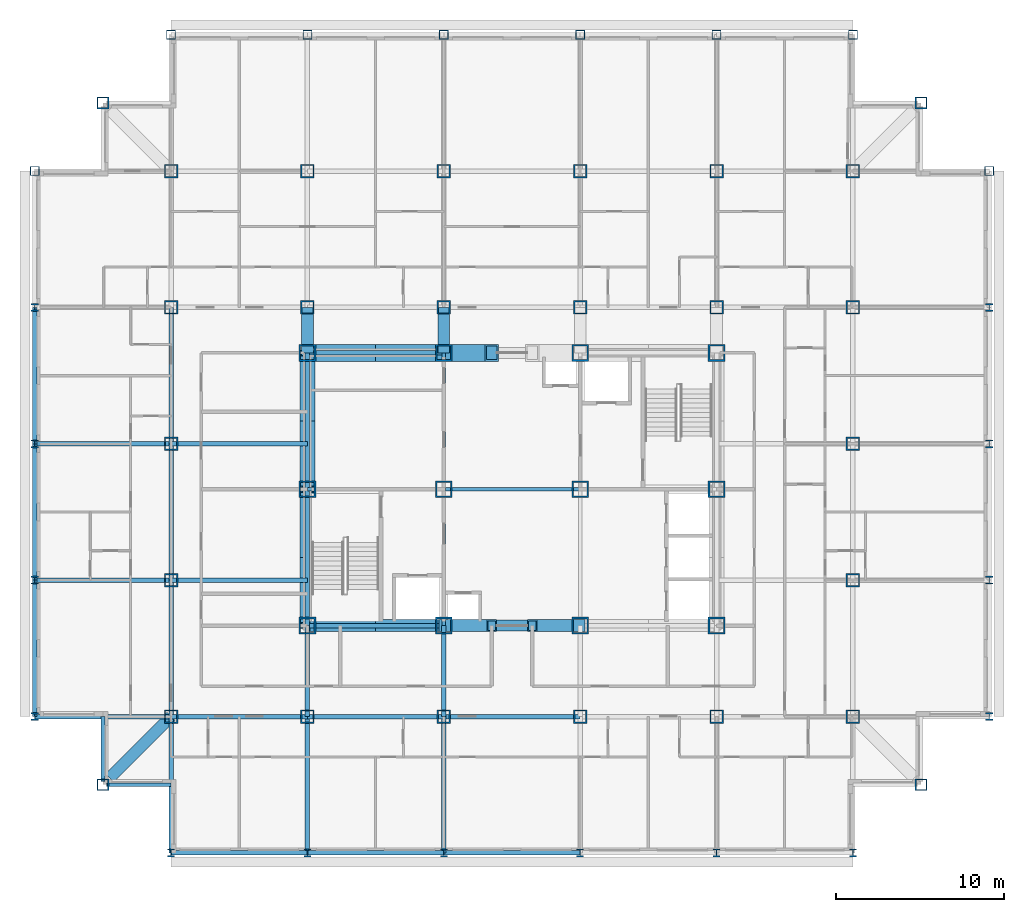
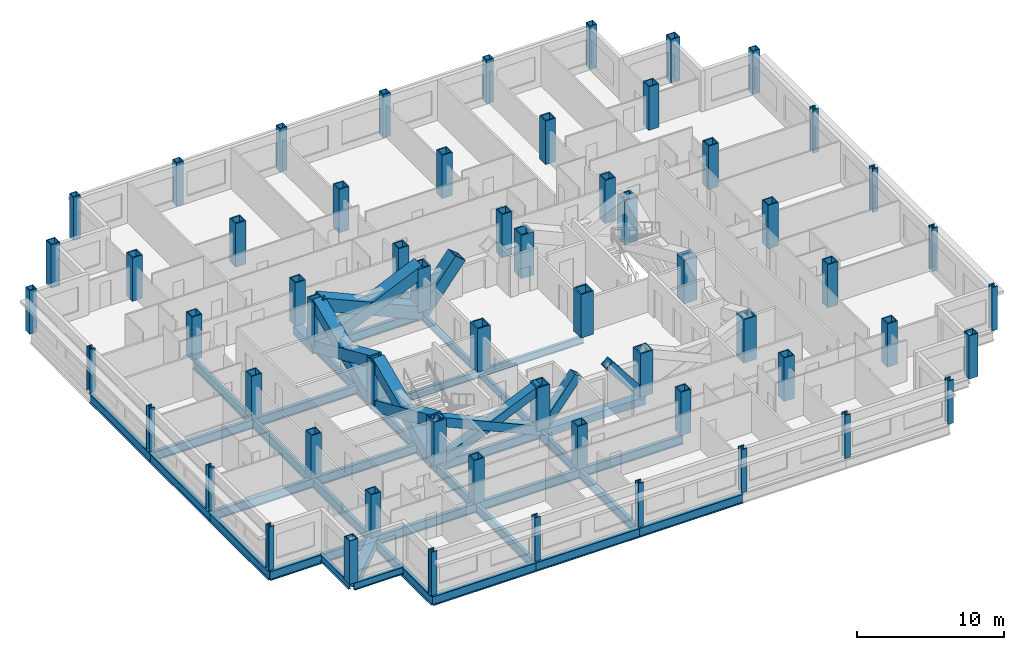
# One storey, part 1 of 12: 60 columns, 36 beams, 11 members.
"""IFC4 building model written with IfcOpenShell, lengths in metres."""

from ifc_helpers import new_model, si_unit, direction, frame, origin, origin_2d, place, context, subcontext, project, spatial, hollow_rectangle, i_section, extrude, material, material_profile, profile_set, type_object, element, save


model = new_model("IFC4")

# Units and contexts
model_context = context("Model", 3, precision=1e-05, world=origin(), true_north=direction((0.0, 1.0)))
body_context = subcontext(model_context, "Body", "Model", "MODEL_VIEW")
ifc_project = project(units=[si_unit("LENGTHUNIT", "METRE"), si_unit("AREAUNIT", "SQUARE_METRE"), si_unit("VOLUMEUNIT", "CUBIC_METRE"), si_unit("PLANEANGLEUNIT", "RADIAN"), si_unit("MASSUNIT", "GRAM", prefix="KILO")], contexts=[model_context])

# Site, building, storey
site_placement = place(None, origin())
site = spatial("IfcSite", under=ifc_project, at=site_placement, CompositionType="ELEMENT")
building_placement = place(site_placement, origin())
building = spatial("IfcBuilding", under=site, at=building_placement, Name="Kopane Lantern Tower", CompositionType="ELEMENT")
storey_placement = place(building_placement, frame((0.0, 0.0, 224.39990234375)))
storey = spatial("IfcBuildingStorey", under=building, at=storey_placement, Name="L58", CompositionType="ELEMENT", Elevation=224.39990234375)

# Columns
ifc_material_1 = material(Name="Steel S355JR", Category="steel")
ifc_material_profile_1 = material_profile(ifc_material_1, hollow_rectangle(XDim=1.0, YDim=1.0, WallThickness=0.10009765625, at=origin_2d()), Name="BOX 1000x1000x100")
ifc_profile_set_1 = profile_set([ifc_material_profile_1], Name="Steel S355JR")
column_type_1 = type_object("IfcColumnType", Name="COLUMN BOX 1000x1000x100", PredefinedType="COLUMN", material=ifc_profile_set_1)
for number, where, z_axis, x_axis, name in (
    (1, (16.199951171875, 24.300048828125, 0.0), (0.0, 0.0, 1.0), (1.0, 0.0, 0.0), "Column 4/E L58"),
    (2, (16.199951171875, 32.39990234375, 0.0), (0.0, 0.0, 1.0), (1.0, 0.0, 0.0), "Column 4/F L58"),
    (3, (16.199951171875, 40.5, 0.0), (0.0, 0.0, 1.0), (1.0, 0.0, 0.0), "Column 4/G L58"),
    (4, (24.300048828125, 24.300048828125, 0.0), (0.0, 0.0, 1.0), (1.0, 0.0, 0.0), "Column 5/E L58"),
    (5, (24.300048828125, 32.39990234375, 0.0), (0.0, 0.0, 1.0), (1.0, 0.0, 0.0), "Column 5/F L58"),
    (6, (24.300048828125, 40.5, 0.0), (0.0, 0.0, 1.0), (1.0, 0.0, 0.0), "Column 5/G L58"),
    (7, (32.39990234375, 24.300048828125, 0.0), (0.0, 0.0, 1.0), (1.0, 0.0, 0.0), "Column 6/E L58"),
    (8, (32.39990234375, 32.39990234375, 0.0), (0.0, 0.0, 1.0), (1.0, 0.0, 0.0), "Column 6/F L58"),
    (9, (32.39990234375, 40.5, 0.0), (0.0, 0.0, 1.0), (1.0, 0.0, 0.0), "Column 6/G L58"),
    (10, (40.5, 24.300048828125, 0.0), (0.0, 0.0, 1.0), (1.0, 0.0, 0.0), "Column 7/E L58"),
    (11, (40.5, 32.39990234375, 0.0), (0.0, 0.0, 1.0), (1.0, 0.0, 0.0), "Column 7/F L58"),
    (12, (40.5, 40.5, 0.0), (0.0, 0.0, 1.0), (1.0, 0.0, 0.0), "Column 7/G L58"),
):
    element("IfcColumn", number, at=place(storey_placement, frame(where, z_axis=z_axis, x_axis=x_axis)), inside=storey, type_object=column_type_1, Name=name, PredefinedType="COLUMN", context=body_context, shape_type="SweptSolid", body=[
        extrude(hollow_rectangle(XDim=1.0, YDim=1.0, WallThickness=0.10009765625, at=origin_2d()), origin(), (0.0, 0.0, 1.0), 3.60009765625),
    ])
ifc_material_2 = material(Name="Steel S355JR", Category="steel")
ifc_material_profile_2 = material_profile(ifc_material_2, hollow_rectangle(XDim=0.550048828125, YDim=0.550048828125, WallThickness=0.044921875, at=origin_2d()), Name="BOX 550x550x45")
ifc_profile_set_2 = profile_set([ifc_material_profile_2], Name="Steel S355JR")
column_type_2 = type_object("IfcColumnType", Name="COLUMN BOX 550x550x45", PredefinedType="COLUMN", material=ifc_profile_set_2)
for number, where, z_axis, x_axis, name in (
    (13, (0.0, 51.300048828125, 0.0), (0.0, 0.0, 1.0), (1.0, 0.0, 0.0), "Column 2/Q6 L58"),
    (14, (8.10009765625, 59.39990234375, 0.0), (0.0, 0.0, 1.0), (1.0, 0.0, 0.0), "Column 3/Q7 L58"),
    (15, (16.199951171875, 59.39990234375, 0.0), (0.0, 0.0, 1.0), (1.0, 0.0, 0.0), "Column 4/Q7 L58"),
    (16, (24.300048828125, 59.39990234375, 0.0), (0.0, 0.0, 1.0), (1.0, 0.0, 0.0), "Column 5/Q7 L58"),
    (17, (32.39990234375, 59.39990234375, 0.0), (0.0, 0.0, 1.0), (1.0, 0.0, 0.0), "Column 6/Q7 L58"),
    (18, (40.5, 59.39990234375, 0.0), (0.0, 0.0, 1.0), (1.0, 0.0, 0.0), "Column 7/Q7 L58"),
    (19, (48.60009765625, 59.39990234375, 0.0), (0.0, 0.0, 1.0), (1.0, 0.0, 0.0), "Column 8/Q7 L58"),
    (20, (56.699951171875, 51.300048828125, 0.0), (0.0, 0.0, 1.0), (1.0, 0.0, 0.0), "Column 9/Q6 L58"),
):
    element("IfcColumn", number, at=place(storey_placement, frame(where, z_axis=z_axis, x_axis=x_axis)), inside=storey, type_object=column_type_2, Name=name, PredefinedType="COLUMN", context=body_context, shape_type="SweptSolid", body=[
        extrude(hollow_rectangle(XDim=0.550048828125, YDim=0.550048828125, WallThickness=0.044921875, at=origin_2d()), origin(), (0.0, 0.0, 1.0), 3.60009765625),
    ])
ifc_material_3 = material(Name="Steel S355JR", Category="steel")
ifc_material_profile_3 = material_profile(ifc_material_3, hollow_rectangle(XDim=0.699951171875, YDim=0.699951171875, WallThickness=0.070068359375, at=origin_2d()), Name="BOX 700x700x70")
ifc_profile_set_3 = profile_set([ifc_material_profile_3], Name="Steel S355JR")
column_type_3 = type_object("IfcColumnType", Name="COLUMN BOX 700x700x70", PredefinedType="COLUMN", material=ifc_profile_set_3)
for number, where, z_axis, x_axis, name in (
    (21, (4.050048828125, 14.85009765625, 0.0), (0.0, 0.0, 1.0), (1.0, 0.0, 0.0), "Column 4.05/14.85 L58"),
    (22, (4.050048828125, 55.35009765625, 0.0), (0.0, 0.0, 1.0), (1.0, 0.0, 0.0), "Column 4.05/55.35 L58"),
    (23, (52.64990234375, 14.85009765625, 0.0), (0.0, 0.0, 1.0), (1.0, 0.0, 0.0), "Column 52.65/14.85 L58"),
    (24, (52.64990234375, 55.35009765625, 0.0), (0.0, 0.0, 1.0), (1.0, 0.0, 0.0), "Column 52.65/55.35 L58"),
):
    element("IfcColumn", number, at=place(storey_placement, frame(where, z_axis=z_axis, x_axis=x_axis)), inside=storey, type_object=column_type_3, Name=name, PredefinedType="COLUMN", context=body_context, shape_type="SweptSolid", body=[
        extrude(hollow_rectangle(XDim=0.699951171875, YDim=0.699951171875, WallThickness=0.070068359375, at=origin_2d()), origin(), (0.0, 0.0, 1.0), 3.60009765625),
    ])
ifc_material_4 = material(Name="Steel S355JR", Category="steel")
ifc_material_profile_4 = material_profile(ifc_material_4, hollow_rectangle(XDim=0.800048828125, YDim=0.800048828125, WallThickness=0.080078125, at=origin_2d()), Name="BOX 800x800x80")
ifc_profile_set_4 = profile_set([ifc_material_profile_4], Name="Steel S355JR")
column_type_4 = type_object("IfcColumnType", Name="COLUMN BOX 800x800x80", PredefinedType="COLUMN", material=ifc_profile_set_4)
for number, where, z_axis, x_axis, name in (
    (25, (8.10009765625, 18.89990234375, 0.0), (0.0, 0.0, 1.0), (1.0, 0.0, 0.0), "Column 3/Q2 L58"),
    (26, (8.10009765625, 27.0, 0.0), (0.0, 0.0, 1.0), (1.0, 0.0, 0.0), "Column 3/Q3 L58"),
    (27, (8.10009765625, 35.10009765625, 0.0), (0.0, 0.0, 1.0), (1.0, 0.0, 0.0), "Column 3/Q4 L58"),
    (28, (8.10009765625, 43.199951171875, 0.0), (0.0, 0.0, 1.0), (1.0, 0.0, 0.0), "Column 3/Q5 L58"),
    (29, (8.10009765625, 51.300048828125, 0.0), (0.0, 0.0, 1.0), (1.0, 0.0, 0.0), "Column 3/Q6 L58"),
    (30, (16.199951171875, 18.89990234375, 0.0), (0.0, 0.0, 1.0), (1.0, 0.0, 0.0), "Column 4/Q2 L58"),
    (31, (16.199951171875, 43.199951171875, 0.0), (0.0, 0.0, 1.0), (1.0, 0.0, 0.0), "Column 4/Q5 L58"),
    (32, (16.199951171875, 51.300048828125, 0.0), (0.0, 0.0, 1.0), (1.0, 0.0, 0.0), "Column 4/Q6 L58"),
    (33, (24.300048828125, 18.89990234375, 0.0), (0.0, 0.0, 1.0), (1.0, 0.0, 0.0), "Column 5/Q2 L58"),
    (34, (24.300048828125, 43.199951171875, 0.0), (0.0, 0.0, 1.0), (1.0, 0.0, 0.0), "Column 5/Q5 L58"),
    (35, (24.300048828125, 51.300048828125, 0.0), (0.0, 0.0, 1.0), (1.0, 0.0, 0.0), "Column 5/Q6 L58"),
    (36, (32.39990234375, 18.89990234375, 0.0), (0.0, 0.0, 1.0), (1.0, 0.0, 0.0), "Column 6/Q2 L58"),
    (37, (32.39990234375, 43.199951171875, 0.0), (0.0, 0.0, 1.0), (1.0, 0.0, 0.0), "Column 6/Q5 L58"),
    (38, (32.39990234375, 51.300048828125, 0.0), (0.0, 0.0, 1.0), (1.0, 0.0, 0.0), "Column 6/Q6 L58"),
    (39, (40.5, 18.89990234375, 0.0), (0.0, 0.0, 1.0), (1.0, 0.0, 0.0), "Column 7/Q2 L58"),
    (40, (40.5, 43.199951171875, 0.0), (0.0, 0.0, 1.0), (1.0, 0.0, 0.0), "Column 7/Q5 L58"),
    (41, (40.5, 51.300048828125, 0.0), (0.0, 0.0, 1.0), (1.0, 0.0, 0.0), "Column 7/Q6 L58"),
    (42, (48.60009765625, 18.89990234375, 0.0), (0.0, 0.0, 1.0), (1.0, 0.0, 0.0), "Column 8/Q2 L58"),
    (43, (48.60009765625, 27.0, 0.0), (0.0, 0.0, 1.0), (1.0, 0.0, 0.0), "Column 8/Q3 L58"),
    (44, (48.60009765625, 35.10009765625, 0.0), (0.0, 0.0, 1.0), (1.0, 0.0, 0.0), "Column 8/Q4 L58"),
    (45, (48.60009765625, 43.199951171875, 0.0), (0.0, 0.0, 1.0), (1.0, 0.0, 0.0), "Column 8/Q5 L58"),
    (46, (48.60009765625, 51.300048828125, 0.0), (0.0, 0.0, 1.0), (1.0, 0.0, 0.0), "Column 8/Q6 L58"),
):
    element("IfcColumn", number, at=place(storey_placement, frame(where, z_axis=z_axis, x_axis=x_axis)), inside=storey, type_object=column_type_4, Name=name, PredefinedType="COLUMN", context=body_context, shape_type="SweptSolid", body=[
        extrude(hollow_rectangle(XDim=0.800048828125, YDim=0.800048828125, WallThickness=0.080078125, at=origin_2d()), origin(), (0.0, 0.0, 1.0), 3.60009765625),
    ])
ifc_material_5 = material(Name="Steel S355JR", Category="steel")
ifc_material_profile_5 = material_profile(ifc_material_5, i_section(OverallWidth=0.424072265625, OverallDepth=0.474609375, WebThickness=0.047607421875, FlangeThickness=0.076904296875, FilletRadius=0.01513671875, at=origin_2d()), Name="UC 356x406x634")
ifc_profile_set_5 = profile_set([ifc_material_profile_5], Name="Steel S355JR")
column_type_5 = type_object("IfcColumnType", Name="COLUMN UC 356x406x634", PredefinedType="COLUMN", material=ifc_profile_set_5)
for number, where, z_axis, x_axis, name in (
    (47, (0.0, 18.89990234375, 0.0), (0.0, 0.0, 1.0), (1.0, 0.0, 0.0), "Column 2/Q2 L58"),
    (48, (0.0, 27.0, 0.0), (0.0, 0.0, 1.0), (1.0, 0.0, 0.0), "Column 2/Q3 L58"),
    (49, (0.0, 35.10009765625, 0.0), (0.0, 0.0, 1.0), (1.0, 0.0, 0.0), "Column 2/Q4 L58"),
    (50, (0.0, 43.199951171875, 0.0), (0.0, 0.0, 1.0), (1.0, 0.0, 0.0), "Column 2/Q5 L58"),
    (51, (8.10009765625, 10.800048828125, 0.0), (0.0, 0.0, 1.0), (1.0, 0.0, 0.0), "Column 3/Q1 L58"),
    (52, (16.199951171875, 10.800048828125, 0.0), (0.0, 0.0, 1.0), (1.0, 0.0, 0.0), "Column 4/Q1 L58"),
    (53, (24.300048828125, 10.800048828125, 0.0), (0.0, 0.0, 1.0), (1.0, 0.0, 0.0), "Column 5/Q1 L58"),
    (54, (32.39990234375, 10.800048828125, 0.0), (0.0, 0.0, 1.0), (1.0, 0.0, 0.0), "Column 6/Q1 L58"),
    (55, (40.5, 10.800048828125, 0.0), (0.0, 0.0, 1.0), (1.0, 0.0, 0.0), "Column 7/Q1 L58"),
    (56, (48.60009765625, 10.800048828125, 0.0), (0.0, 0.0, 1.0), (1.0, 0.0, 0.0), "Column 8/Q1 L58"),
    (57, (56.699951171875, 18.89990234375, 0.0), (0.0, 0.0, 1.0), (1.0, 0.0, 0.0), "Column 9/Q2 L58"),
    (58, (56.699951171875, 27.0, 0.0), (0.0, 0.0, 1.0), (1.0, 0.0, 0.0), "Column 9/Q3 L58"),
    (59, (56.699951171875, 35.10009765625, 0.0), (0.0, 0.0, 1.0), (1.0, 0.0, 0.0), "Column 9/Q4 L58"),
    (60, (56.699951171875, 43.199951171875, 0.0), (0.0, 0.0, 1.0), (1.0, 0.0, 0.0), "Column 9/Q5 L58"),
):
    element("IfcColumn", number, at=place(storey_placement, frame(where, z_axis=z_axis, x_axis=x_axis)), inside=storey, type_object=column_type_5, Name=name, PredefinedType="COLUMN", context=body_context, shape_type="SweptSolid", body=[
        extrude(i_section(OverallWidth=0.424072265625, OverallDepth=0.474609375, WebThickness=0.047607421875, FlangeThickness=0.076904296875, FilletRadius=0.01513671875, at=origin_2d()), origin(), (0.0, 0.0, 1.0), 3.60009765625),
    ])

# Members
ifc_material_6 = material(Name="Steel S355JR", Category="steel")
ifc_material_profile_6 = material_profile(ifc_material_6, hollow_rectangle(XDim=1.0, YDim=1.0, WallThickness=0.10009765625, at=origin_2d()), Name="BOX 1000x1000x100")
ifc_profile_set_6 = profile_set([ifc_material_profile_6], Name="Steel S355JR")
member_type_1 = type_object("IfcMemberType", Name="BRACE BOX 1000x1000x100", PredefinedType="BRACE", material=ifc_profile_set_6)
for number, where, z_axis, x_axis, name in (
    (61, (16.199951171875, 40.5, -0.2099609375), (0.913809277049, 0.0, 0.40614357705), (0.0, 1.0, 0.0), "Core brace L58"),
    (62, (24.300048828125, 40.5, -0.2099609375), (-0.913809277049, 0.0, 0.40614357705), (0.0, -1.0, 0.0), "Core brace L58"),
):
    element("IfcMember", number, at=place(storey_placement, frame(where, z_axis=z_axis, x_axis=x_axis)), inside=storey, type_object=member_type_1, Name=name, PredefinedType="BRACE", context=body_context, shape_type="SweptSolid", body=[
        extrude(hollow_rectangle(XDim=1.0, YDim=1.0, WallThickness=0.10009765625, at=origin_2d()), origin(), (0.0, 0.0, 1.0), 8.864013671875),
    ])
member_placement = place(storey_placement, frame((24.300048828125, 40.5, -0.2099609375), z_axis=(0.620672981644, 0.0, 0.784069544018), x_axis=(0.0, 1.0, 0.0)))
element("IfcMember", 63, at=member_placement, inside=storey, type_object=member_type_1, Name="Core brace L58", PredefinedType="BRACE", context=body_context, shape_type="SweptSolid", body=[
    extrude(hollow_rectangle(XDim=1.0, YDim=1.0, WallThickness=0.10009765625, at=origin_2d()), origin(), (0.0, 0.0, 1.0), 4.591552734375),
])
ifc_material_7 = material(Name="Steel S355JR", Category="steel")
ifc_material_profile_7 = material_profile(ifc_material_7, hollow_rectangle(XDim=0.699951171875, YDim=0.699951171875, WallThickness=0.06005859375, at=origin_2d()), Name="BOX 700x700x60")
ifc_profile_set_7 = profile_set([ifc_material_profile_7], Name="Steel S355JR")
member_type_2 = type_object("IfcMemberType", Name="BRACE BOX 700x700x60", PredefinedType="BRACE", material=ifc_profile_set_7)
for number, where, z_axis, x_axis, name in (
    (64, (16.199951171875, 24.300048828125, -0.2099609375), (0.913809277049, 0.0, 0.40614357705), (0.0, 1.0, 0.0), "Core brace L58"),
    (65, (24.300048828125, 24.300048828125, -0.2099609375), (-0.913809277049, 0.0, 0.40614357705), (0.0, -1.0, 0.0), "Core brace L58"),
):
    element("IfcMember", number, at=place(storey_placement, frame(where, z_axis=z_axis, x_axis=x_axis)), inside=storey, type_object=member_type_2, Name=name, PredefinedType="BRACE", context=body_context, shape_type="SweptSolid", body=[
        extrude(hollow_rectangle(XDim=0.699951171875, YDim=0.699951171875, WallThickness=0.06005859375, at=origin_2d()), origin(), (0.0, 0.0, 1.0), 8.864013671875),
    ])
for number, where, z_axis, x_axis, name in (
    (66, (24.300048828125, 24.300048828125, -0.2099609375), (0.620672981644, 0.0, 0.784069544018), (0.0, 1.0, 0.0), "Core brace L58"),
    (67, (32.39990234375, 24.300048828125, -0.2099609375), (-0.620672981644, 0.0, 0.784069544018), (0.0, -1.0, 0.0), "Core brace L58"),
):
    element("IfcMember", number, at=place(storey_placement, frame(where, z_axis=z_axis, x_axis=x_axis)), inside=storey, type_object=member_type_2, Name=name, PredefinedType="BRACE", context=body_context, shape_type="SweptSolid", body=[
        extrude(hollow_rectangle(XDim=0.699951171875, YDim=0.699951171875, WallThickness=0.06005859375, at=origin_2d()), origin(), (0.0, 0.0, 1.0), 4.591552734375),
    ])
ifc_material_8 = material(Name="Steel S355JR", Category="steel")
ifc_material_profile_8 = material_profile(ifc_material_8, hollow_rectangle(XDim=0.89990234375, YDim=0.89990234375, WallThickness=0.090087890625, at=origin_2d()), Name="BOX 900x900x90")
ifc_profile_set_8 = profile_set([ifc_material_profile_8], Name="Steel S355JR")
member_type_3 = type_object("IfcMemberType", Name="BRACE BOX 900x900x90", PredefinedType="BRACE", material=ifc_profile_set_8)
for number, where, z_axis, x_axis, name in (
    (68, (16.199951171875, 24.300048828125, -0.2099609375), (0.0, 0.91380473365, 0.406153799391), (-1.0, 0.0, 0.0), "Core brace L58"),
    (69, (16.199951171875, 32.39990234375, -0.2099609375), (0.0, -0.91380473365, 0.406153799391), (1.0, 0.0, 0.0), "Core brace L58"),
):
    element("IfcMember", number, at=place(storey_placement, frame(where, z_axis=z_axis, x_axis=x_axis)), inside=storey, type_object=member_type_3, Name=name, PredefinedType="BRACE", context=body_context, shape_type="SweptSolid", body=[
        extrude(hollow_rectangle(XDim=0.89990234375, YDim=0.89990234375, WallThickness=0.090087890625, at=origin_2d()), origin(), (0.0, 0.0, 1.0), 8.86376953125),
    ])
for number, where, z_axis, x_axis, name in (
    (70, (16.199951171875, 32.39990234375, -0.2099609375), (0.0, 0.913809277049, 0.40614357705), (-1.0, 0.0, 0.0), "Core brace L58"),
    (71, (16.199951171875, 40.5, -0.2099609375), (0.0, -0.913809277049, 0.40614357705), (1.0, 0.0, 0.0), "Core brace L58"),
):
    element("IfcMember", number, at=place(storey_placement, frame(where, z_axis=z_axis, x_axis=x_axis)), inside=storey, type_object=member_type_3, Name=name, PredefinedType="BRACE", context=body_context, shape_type="SweptSolid", body=[
        extrude(hollow_rectangle(XDim=0.89990234375, YDim=0.89990234375, WallThickness=0.090087890625, at=origin_2d()), origin(), (0.0, 0.0, 1.0), 8.864013671875),
    ])

# Beams
ifc_material_9 = material(Name="Steel S355JR", Category="steel")
ifc_material_profile_9 = material_profile(ifc_material_9, i_section(OverallWidth=0.22900390625, OverallDepth=0.6123046875, WebThickness=0.011962890625, FlangeThickness=0.01953125, FilletRadius=0.0126953125, at=origin_2d()), Name="UB 610x229x125")
ifc_profile_set_9 = profile_set([ifc_material_profile_9], Name="Steel S355JR")
beam_type_1 = type_object("IfcBeamType", Name="CORE BEAM UB 610x229x125", PredefinedType="BEAM", material=ifc_profile_set_9)
beam_1_placement = place(storey_placement, frame((16.199951171875, 32.39990234375, -0.51611328125), z_axis=(1.0, 0.0, 0.0), x_axis=(0.0, 1.0, 0.0)))
element("IfcBeam", 72, at=beam_1_placement, inside=storey, type_object=beam_type_1, Name="Core Beam L58", PredefinedType="BEAM", context=body_context, shape_type="SweptSolid", body=[
    extrude(i_section(OverallWidth=0.22900390625, OverallDepth=0.6123046875, WebThickness=0.011962890625, FlangeThickness=0.01953125, FilletRadius=0.0126953125, at=origin_2d()), origin(), (0.0, 0.0, 1.0), 8.10009765625),
])
beam_2_placement = place(storey_placement, frame((24.300048828125, 24.300048828125, -0.51611328125), z_axis=(0.0, 1.0, 0.0), x_axis=(-1.0, 0.0, 0.0)))
element("IfcBeam", 73, at=beam_2_placement, inside=storey, type_object=beam_type_1, Name="Core Beam L58", PredefinedType="BEAM", context=body_context, shape_type="SweptSolid", body=[
    extrude(i_section(OverallWidth=0.22900390625, OverallDepth=0.6123046875, WebThickness=0.011962890625, FlangeThickness=0.01953125, FilletRadius=0.0126953125, at=origin_2d()), origin(), (0.0, 0.0, 1.0), 8.099853515625),
])
beam_3_placement = place(storey_placement, frame((24.300048828125, 32.39990234375, -0.51611328125), z_axis=(0.0, 1.0, 0.0), x_axis=(-1.0, 0.0, 0.0)))
element("IfcBeam", 74, at=beam_3_placement, inside=storey, type_object=beam_type_1, Name="Core Beam L58", PredefinedType="BEAM", context=body_context, shape_type="SweptSolid", body=[
    extrude(i_section(OverallWidth=0.22900390625, OverallDepth=0.6123046875, WebThickness=0.011962890625, FlangeThickness=0.01953125, FilletRadius=0.0126953125, at=origin_2d()), origin(), (0.0, 0.0, 1.0), 8.10009765625),
])
beam_4_placement = place(storey_placement, frame((24.300048828125, 32.39990234375, -0.51611328125), z_axis=(1.0, 0.0, 0.0), x_axis=(0.0, 1.0, 0.0)))
element("IfcBeam", 75, at=beam_4_placement, inside=storey, type_object=beam_type_1, Name="Core Beam L58", PredefinedType="BEAM", context=body_context, shape_type="SweptSolid", body=[
    extrude(i_section(OverallWidth=0.22900390625, OverallDepth=0.6123046875, WebThickness=0.011962890625, FlangeThickness=0.01953125, FilletRadius=0.0126953125, at=origin_2d()), origin(), (0.0, 0.0, 1.0), 8.099853515625),
])
ifc_material_10 = material(Name="Steel S355JR", Category="steel")
ifc_material_profile_10 = material_profile(ifc_material_10, hollow_rectangle(XDim=0.699951171875, YDim=0.699951171875, WallThickness=0.06005859375, at=origin_2d()), Name="BOX 700x700x60")
ifc_profile_set_10 = profile_set([ifc_material_profile_10], Name="Steel S355JR")
beam_type_2 = type_object("IfcBeamType", Name="CORNER TIE BEAM BOX 700x700x60", PredefinedType="BEAM", material=ifc_profile_set_10)
beam_5_placement = place(storey_placement, frame((4.447509765625, 15.24755859375, -0.559814453125), z_axis=(0.70713041325, 0.707083148333, 0.0), x_axis=(-0.707083148333, 0.70713041325, 0.0)))
element("IfcBeam", 76, at=beam_5_placement, inside=storey, type_object=beam_type_2, Name="Corner Tie Beam L58", PredefinedType="BEAM", context=body_context, shape_type="SweptSolid", body=[
    extrude(hollow_rectangle(XDim=0.699951171875, YDim=0.699951171875, WallThickness=0.06005859375, at=origin_2d()), origin(), (0.0, 0.0, 1.0), 5.165283203125),
])
ifc_material_11 = material(Name="Steel S355JR", Category="steel")
ifc_material_profile_11 = material_profile(ifc_material_11, i_section(OverallWidth=0.22900390625, OverallDepth=0.6123046875, WebThickness=0.011962890625, FlangeThickness=0.01953125, FilletRadius=0.0126953125, at=origin_2d()), Name="UB 610x229x125")
ifc_profile_set_11 = profile_set([ifc_material_profile_11], Name="Steel S355JR")
beam_type_3 = type_object("IfcBeamType", Name="EDGE BEAM UB 610x229x125", PredefinedType="BEAM", material=ifc_profile_set_11)
beam_6_placement = place(storey_placement, frame((4.050048828125, 15.053466796875, -0.51611328125), z_axis=(0.0, 1.0, 0.0), x_axis=(-1.0, 0.0, 0.0)))
element("IfcBeam", 77, at=beam_6_placement, inside=storey, type_object=beam_type_3, Name="Edge Beam L58", PredefinedType="BEAM", context=body_context, shape_type="SweptSolid", body=[
    extrude(i_section(OverallWidth=0.22900390625, OverallDepth=0.6123046875, WebThickness=0.011962890625, FlangeThickness=0.01953125, FilletRadius=0.0126953125, at=origin_2d()), origin(), (0.0, 0.0, 1.0), 3.846435546875),
])
beam_7_placement = place(storey_placement, frame((4.25341796875, 14.85009765625, -0.51611328125), z_axis=(1.0, 0.0, 0.0), x_axis=(0.0, 1.0, 0.0)))
element("IfcBeam", 78, at=beam_7_placement, inside=storey, type_object=beam_type_3, Name="Edge Beam L58", PredefinedType="BEAM", context=body_context, shape_type="SweptSolid", body=[
    extrude(i_section(OverallWidth=0.22900390625, OverallDepth=0.6123046875, WebThickness=0.011962890625, FlangeThickness=0.01953125, FilletRadius=0.0126953125, at=origin_2d()), origin(), (0.0, 0.0, 1.0), 3.8466796875),
])
ifc_material_12 = material(Name="Steel S355JR", Category="steel")
ifc_material_profile_12 = material_profile(ifc_material_12, hollow_rectangle(XDim=0.699951171875, YDim=0.699951171875, WallThickness=0.06005859375, at=origin_2d()), Name="BOX 700x700x60")
ifc_profile_set_12 = profile_set([ifc_material_profile_12], Name="Steel S355JR")
beam_type_4 = type_object("IfcBeamType", Name="GIRDER BOX 700x700x60", PredefinedType="BEAM", material=ifc_profile_set_12)
for number, where, z_axis, x_axis, name in (
    (79, (16.199951171875, 40.5, -0.559814453125), (0.0, 1.0, 0.0), (-1.0, 0.0, 0.0), "Girder L58"),
    (80, (24.300048828125, 40.5, -0.559814453125), (0.0, 1.0, 0.0), (-1.0, 0.0, 0.0), "Girder L58"),
):
    element("IfcBeam", number, at=place(storey_placement, frame(where, z_axis=z_axis, x_axis=x_axis)), inside=storey, type_object=beam_type_4, Name=name, PredefinedType="BEAM", context=body_context, shape_type="SweptSolid", body=[
        extrude(hollow_rectangle(XDim=0.699951171875, YDim=0.699951171875, WallThickness=0.06005859375, at=origin_2d()), origin(), (0.0, 0.0, 1.0), 2.699951171875),
    ])
ifc_material_13 = material(Name="Steel S355JR", Category="steel")
ifc_material_profile_13 = material_profile(ifc_material_13, i_section(OverallWidth=0.2666015625, OverallDepth=0.76220703125, WebThickness=0.014404296875, FlangeThickness=0.021484375, FilletRadius=0.0166015625, at=origin_2d()), Name="UB 762x267x173")
ifc_profile_set_13 = profile_set([ifc_material_profile_13], Name="Steel S355JR")
beam_type_5 = type_object("IfcBeamType", Name="GIRDER UB 762x267x173", PredefinedType="BEAM", material=ifc_profile_set_13)
for number, where, z_axis, x_axis, name in (
    (81, (0.0, 18.89990234375, -0.591064453125), (0.0, 1.0, 0.0), (-1.0, 0.0, 0.0), "Girder L58"),
    (82, (0.0, 18.89990234375, -0.591064453125), (1.0, 0.0, 0.0), (0.0, 1.0, 0.0), "Girder L58"),
    (83, (0.0, 27.0, -0.591064453125), (0.0, 1.0, 0.0), (-1.0, 0.0, 0.0), "Girder L58"),
    (84, (0.0, 27.0, -0.591064453125), (1.0, 0.0, 0.0), (0.0, 1.0, 0.0), "Girder L58"),
):
    element("IfcBeam", number, at=place(storey_placement, frame(where, z_axis=z_axis, x_axis=x_axis)), inside=storey, type_object=beam_type_5, Name=name, PredefinedType="BEAM", context=body_context, shape_type="SweptSolid", body=[
        extrude(i_section(OverallWidth=0.2666015625, OverallDepth=0.76220703125, WebThickness=0.014404296875, FlangeThickness=0.021484375, FilletRadius=0.0166015625, at=origin_2d()), origin(), (0.0, 0.0, 1.0), 8.10009765625),
    ])
beam_8_placement = place(storey_placement, frame((0.0, 35.10009765625, -0.591064453125), z_axis=(0.0, 1.0, 0.0), x_axis=(-1.0, 0.0, 0.0)))
element("IfcBeam", 85, at=beam_8_placement, inside=storey, type_object=beam_type_5, Name="Girder L58", PredefinedType="BEAM", context=body_context, shape_type="SweptSolid", body=[
    extrude(i_section(OverallWidth=0.2666015625, OverallDepth=0.76220703125, WebThickness=0.014404296875, FlangeThickness=0.021484375, FilletRadius=0.0166015625, at=origin_2d()), origin(), (0.0, 0.0, 1.0), 8.099853515625),
])
beam_9_placement = place(storey_placement, frame((0.0, 35.10009765625, -0.591064453125), z_axis=(1.0, 0.0, 0.0), x_axis=(0.0, 1.0, 0.0)))
element("IfcBeam", 86, at=beam_9_placement, inside=storey, type_object=beam_type_5, Name="Girder L58", PredefinedType="BEAM", context=body_context, shape_type="SweptSolid", body=[
    extrude(i_section(OverallWidth=0.2666015625, OverallDepth=0.76220703125, WebThickness=0.014404296875, FlangeThickness=0.021484375, FilletRadius=0.0166015625, at=origin_2d()), origin(), (0.0, 0.0, 1.0), 8.10009765625),
])
for number, where, z_axis, x_axis, name in (
    (87, (8.10009765625, 10.800048828125, -0.591064453125), (0.0, 1.0, 0.0), (-1.0, 0.0, 0.0), "Girder L58"),
    (88, (8.10009765625, 10.800048828125, -0.591064453125), (1.0, 0.0, 0.0), (0.0, 1.0, 0.0), "Girder L58"),
):
    element("IfcBeam", number, at=place(storey_placement, frame(where, z_axis=z_axis, x_axis=x_axis)), inside=storey, type_object=beam_type_5, Name=name, PredefinedType="BEAM", context=body_context, shape_type="SweptSolid", body=[
        extrude(i_section(OverallWidth=0.2666015625, OverallDepth=0.76220703125, WebThickness=0.014404296875, FlangeThickness=0.021484375, FilletRadius=0.0166015625, at=origin_2d()), origin(), (0.0, 0.0, 1.0), 8.099853515625),
    ])
beam_10_placement = place(storey_placement, frame((8.10009765625, 18.89990234375, -0.591064453125), z_axis=(0.0, 1.0, 0.0), x_axis=(-1.0, 0.0, 0.0)))
element("IfcBeam", 89, at=beam_10_placement, inside=storey, type_object=beam_type_5, Name="Girder L58", PredefinedType="BEAM", context=body_context, shape_type="SweptSolid", body=[
    extrude(i_section(OverallWidth=0.2666015625, OverallDepth=0.76220703125, WebThickness=0.014404296875, FlangeThickness=0.021484375, FilletRadius=0.0166015625, at=origin_2d()), origin(), (0.0, 0.0, 1.0), 8.10009765625),
])
beam_11_placement = place(storey_placement, frame((8.10009765625, 18.89990234375, -0.591064453125), z_axis=(1.0, 0.0, 0.0), x_axis=(0.0, 1.0, 0.0)))
element("IfcBeam", 90, at=beam_11_placement, inside=storey, type_object=beam_type_5, Name="Girder L58", PredefinedType="BEAM", context=body_context, shape_type="SweptSolid", body=[
    extrude(i_section(OverallWidth=0.2666015625, OverallDepth=0.76220703125, WebThickness=0.014404296875, FlangeThickness=0.021484375, FilletRadius=0.0166015625, at=origin_2d()), origin(), (0.0, 0.0, 1.0), 8.099853515625),
])
beam_12_placement = place(storey_placement, frame((8.10009765625, 27.0, -0.591064453125), z_axis=(0.0, 1.0, 0.0), x_axis=(-1.0, 0.0, 0.0)))
element("IfcBeam", 91, at=beam_12_placement, inside=storey, type_object=beam_type_5, Name="Girder L58", PredefinedType="BEAM", context=body_context, shape_type="SweptSolid", body=[
    extrude(i_section(OverallWidth=0.2666015625, OverallDepth=0.76220703125, WebThickness=0.014404296875, FlangeThickness=0.021484375, FilletRadius=0.0166015625, at=origin_2d()), origin(), (0.0, 0.0, 1.0), 8.10009765625),
])
for number, where, z_axis, x_axis, name in (
    (92, (8.10009765625, 27.0, -0.591064453125), (1.0, 0.0, 0.0), (0.0, 1.0, 0.0), "Girder L58"),
    (93, (8.10009765625, 35.10009765625, -0.591064453125), (0.0, 1.0, 0.0), (-1.0, 0.0, 0.0), "Girder L58"),
    (94, (8.10009765625, 35.10009765625, -0.591064453125), (1.0, 0.0, 0.0), (0.0, 1.0, 0.0), "Girder L58"),
    (95, (16.199951171875, 10.800048828125, -0.591064453125), (0.0, 1.0, 0.0), (-1.0, 0.0, 0.0), "Girder L58"),
):
    element("IfcBeam", number, at=place(storey_placement, frame(where, z_axis=z_axis, x_axis=x_axis)), inside=storey, type_object=beam_type_5, Name=name, PredefinedType="BEAM", context=body_context, shape_type="SweptSolid", body=[
        extrude(i_section(OverallWidth=0.2666015625, OverallDepth=0.76220703125, WebThickness=0.014404296875, FlangeThickness=0.021484375, FilletRadius=0.0166015625, at=origin_2d()), origin(), (0.0, 0.0, 1.0), 8.099853515625),
    ])
beam_13_placement = place(storey_placement, frame((16.199951171875, 10.800048828125, -0.591064453125), z_axis=(1.0, 0.0, 0.0), x_axis=(0.0, 1.0, 0.0)))
element("IfcBeam", 96, at=beam_13_placement, inside=storey, type_object=beam_type_5, Name="Girder L58", PredefinedType="BEAM", context=body_context, shape_type="SweptSolid", body=[
    extrude(i_section(OverallWidth=0.2666015625, OverallDepth=0.76220703125, WebThickness=0.014404296875, FlangeThickness=0.021484375, FilletRadius=0.0166015625, at=origin_2d()), origin(), (0.0, 0.0, 1.0), 8.10009765625),
])
beam_14_placement = place(storey_placement, frame((16.199951171875, 18.89990234375, -0.591064453125), z_axis=(0.0, 1.0, 0.0), x_axis=(-1.0, 0.0, 0.0)))
element("IfcBeam", 97, at=beam_14_placement, inside=storey, type_object=beam_type_5, Name="Girder L58", PredefinedType="BEAM", context=body_context, shape_type="SweptSolid", body=[
    extrude(i_section(OverallWidth=0.2666015625, OverallDepth=0.76220703125, WebThickness=0.014404296875, FlangeThickness=0.021484375, FilletRadius=0.0166015625, at=origin_2d()), origin(), (0.0, 0.0, 1.0), 5.400146484375),
])
beam_15_placement = place(storey_placement, frame((16.199951171875, 18.89990234375, -0.591064453125), z_axis=(1.0, 0.0, 0.0), x_axis=(0.0, 1.0, 0.0)))
element("IfcBeam", 98, at=beam_15_placement, inside=storey, type_object=beam_type_5, Name="Girder L58", PredefinedType="BEAM", context=body_context, shape_type="SweptSolid", body=[
    extrude(i_section(OverallWidth=0.2666015625, OverallDepth=0.76220703125, WebThickness=0.014404296875, FlangeThickness=0.021484375, FilletRadius=0.0166015625, at=origin_2d()), origin(), (0.0, 0.0, 1.0), 8.10009765625),
])
beam_16_placement = place(storey_placement, frame((16.199951171875, 24.300048828125, -0.591064453125), z_axis=(0.0, 1.0, 0.0), x_axis=(-1.0, 0.0, 0.0)))
element("IfcBeam", 99, at=beam_16_placement, inside=storey, type_object=beam_type_5, Name="Girder L58", PredefinedType="BEAM", context=body_context, shape_type="SweptSolid", body=[
    extrude(i_section(OverallWidth=0.2666015625, OverallDepth=0.76220703125, WebThickness=0.014404296875, FlangeThickness=0.021484375, FilletRadius=0.0166015625, at=origin_2d()), origin(), (0.0, 0.0, 1.0), 8.099853515625),
])
for number, where, z_axis, x_axis, name in (
    (100, (16.199951171875, 24.300048828125, -0.591064453125), (1.0, 0.0, 0.0), (0.0, 1.0, 0.0), "Girder L58"),
    (101, (16.199951171875, 32.39990234375, -0.591064453125), (0.0, 1.0, 0.0), (-1.0, 0.0, 0.0), "Girder L58"),
    (102, (16.199951171875, 40.5, -0.591064453125), (1.0, 0.0, 0.0), (0.0, 1.0, 0.0), "Girder L58"),
):
    element("IfcBeam", number, at=place(storey_placement, frame(where, z_axis=z_axis, x_axis=x_axis)), inside=storey, type_object=beam_type_5, Name=name, PredefinedType="BEAM", context=body_context, shape_type="SweptSolid", body=[
        extrude(i_section(OverallWidth=0.2666015625, OverallDepth=0.76220703125, WebThickness=0.014404296875, FlangeThickness=0.021484375, FilletRadius=0.0166015625, at=origin_2d()), origin(), (0.0, 0.0, 1.0), 8.10009765625),
    ])
for number, where, z_axis, x_axis, name in (
    (103, (24.300048828125, 10.800048828125, -0.591064453125), (0.0, 1.0, 0.0), (-1.0, 0.0, 0.0), "Girder L58"),
    (104, (24.300048828125, 10.800048828125, -0.591064453125), (1.0, 0.0, 0.0), (0.0, 1.0, 0.0), "Girder L58"),
):
    element("IfcBeam", number, at=place(storey_placement, frame(where, z_axis=z_axis, x_axis=x_axis)), inside=storey, type_object=beam_type_5, Name=name, PredefinedType="BEAM", context=body_context, shape_type="SweptSolid", body=[
        extrude(i_section(OverallWidth=0.2666015625, OverallDepth=0.76220703125, WebThickness=0.014404296875, FlangeThickness=0.021484375, FilletRadius=0.0166015625, at=origin_2d()), origin(), (0.0, 0.0, 1.0), 8.099853515625),
    ])
beam_17_placement = place(storey_placement, frame((24.300048828125, 18.89990234375, -0.591064453125), z_axis=(0.0, 1.0, 0.0), x_axis=(-1.0, 0.0, 0.0)))
element("IfcBeam", 105, at=beam_17_placement, inside=storey, type_object=beam_type_5, Name="Girder L58", PredefinedType="BEAM", context=body_context, shape_type="SweptSolid", body=[
    extrude(i_section(OverallWidth=0.2666015625, OverallDepth=0.76220703125, WebThickness=0.014404296875, FlangeThickness=0.021484375, FilletRadius=0.0166015625, at=origin_2d()), origin(), (0.0, 0.0, 1.0), 5.400146484375),
])
beam_18_placement = place(storey_placement, frame((24.300048828125, 18.89990234375, -0.591064453125), z_axis=(1.0, 0.0, 0.0), x_axis=(0.0, 1.0, 0.0)))
element("IfcBeam", 106, at=beam_18_placement, inside=storey, type_object=beam_type_5, Name="Girder L58", PredefinedType="BEAM", context=body_context, shape_type="SweptSolid", body=[
    extrude(i_section(OverallWidth=0.2666015625, OverallDepth=0.76220703125, WebThickness=0.014404296875, FlangeThickness=0.021484375, FilletRadius=0.0166015625, at=origin_2d()), origin(), (0.0, 0.0, 1.0), 8.099853515625),
])
ifc_material_14 = material(Name="Steel S355JR", Category="steel")
ifc_material_profile_14 = material_profile(ifc_material_14, hollow_rectangle(XDim=0.64990234375, YDim=0.64990234375, WallThickness=0.070068359375, at=origin_2d()), Name="BOX 650x650x70")
ifc_profile_set_14 = profile_set([ifc_material_profile_14], Name="Steel S355JR")
beam_type_6 = type_object("IfcBeamType", Name="LINK BEAM BOX 650x650x70", PredefinedType="BEAM", material=ifc_profile_set_14)
beam_19_placement = place(storey_placement, frame((24.300048828125, 24.300048828125, -0.534912109375), z_axis=(1.0, 0.0, 0.0), x_axis=(0.0, 1.0, 0.0)))
element("IfcBeam", 107, at=beam_19_placement, inside=storey, type_object=beam_type_6, Name="Link Beam L58", PredefinedType="BEAM", context=body_context, shape_type="SweptSolid", body=[
    extrude(hollow_rectangle(XDim=0.64990234375, YDim=0.64990234375, WallThickness=0.070068359375, at=origin_2d()), origin(), (0.0, 0.0, 1.0), 8.099853515625),
])

save(model, "model.ifc")
